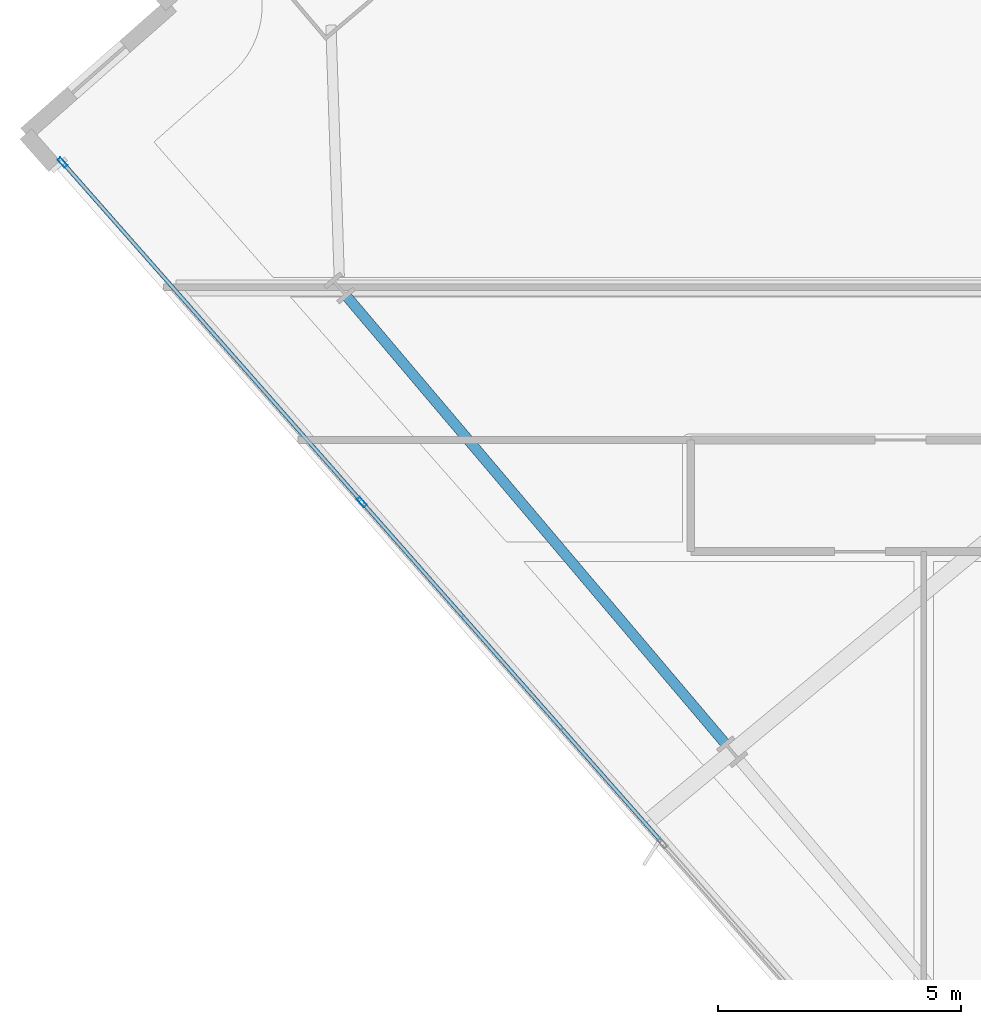
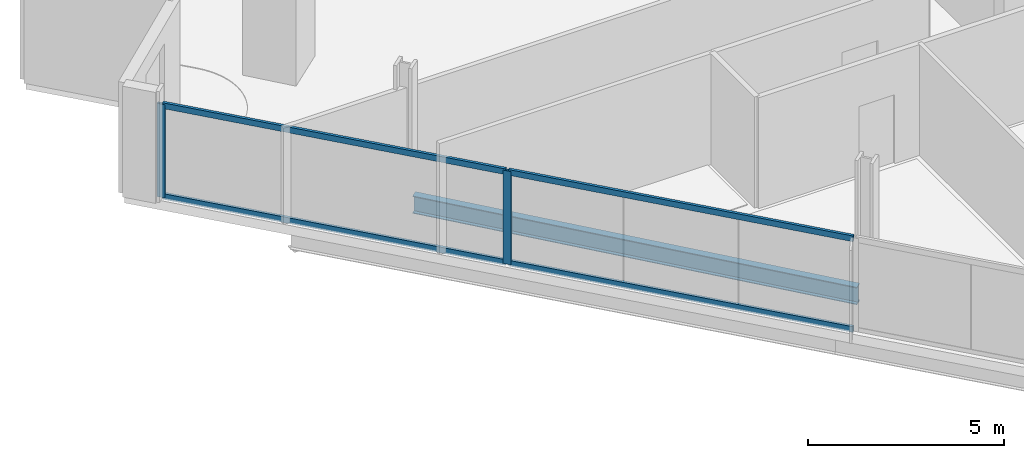
# One storey, part 5 of 34: 6 members, 1 beam, 1 element without a shape of its own.
"""IFC4 building model written with IfcOpenShell, lengths in metres."""

from ifc_helpers import new_model, si_unit, direction, frame, origin, origin_2d, place, context, subcontext, project, spatial, hollow_rectangle, i_section, extrude, material, material_profile, profile_set, type_object, element, aggregate, save


model = new_model("IFC4")

# Units and contexts
model_context = context("Model", 3, precision=1e-05, world=origin(), true_north=direction((0.0, 1.0)))
body_context = subcontext(model_context, "Body", "Model", "MODEL_VIEW")
ifc_project = project(units=[si_unit("LENGTHUNIT", "METRE"), si_unit("AREAUNIT", "SQUARE_METRE"), si_unit("VOLUMEUNIT", "CUBIC_METRE"), si_unit("PLANEANGLEUNIT", "RADIAN"), si_unit("MASSUNIT", "GRAM", prefix="KILO")], contexts=[model_context])

# Site, building, storey
site_placement = place(None, origin())
site = spatial("IfcSite", under=ifc_project, at=site_placement, CompositionType="ELEMENT")
building_placement = place(site_placement, origin())
building = spatial("IfcBuilding", under=site, at=building_placement, Name="Haldenkirk Collegiate Tower", CompositionType="ELEMENT")
storey_placement = place(building_placement, frame((0.0, 0.0, 166.949951171875)))
storey = spatial("IfcBuildingStorey", under=building, at=storey_placement, Name="L41", CompositionType="ELEMENT", Elevation=166.949951171875)

# Beam
ifc_material_1 = material(Name="Steel ASTM A992 Grade 50", Category="steel")
ifc_material_profile_1 = material_profile(ifc_material_1, i_section(OverallWidth=0.2119140625, OverallDepth=0.5439453125, WebThickness=0.01318359375, FlangeThickness=0.021240234375, at=origin_2d()), Name="W21X83")
ifc_profile_set_1 = profile_set([ifc_material_profile_1], Name="Steel ASTM A992 Grade 50")
beam_type = type_object("IfcBeamType", Name="BM-SPANDREL-W21X83", PredefinedType="SPANDREL", material=ifc_profile_set_1)
beam_placement = place(storey_placement, frame((11.111328125, 20.80859375, -0.56201171875), z_axis=(0.646126367676, -0.763230448157, 0.0), x_axis=(0.763230448157, 0.646126367676, 0.0)))
element("IfcBeam", 1, at=beam_placement, inside=storey, type_object=beam_type, Name="L41 perimeter spandrel beam 14", PredefinedType="SPANDREL", context=body_context, shape_type="SweptSolid", body=[
    extrude(i_section(OverallWidth=0.2119140625, OverallDepth=0.5439453125, WebThickness=0.01318359375, FlangeThickness=0.021240234375, at=origin_2d()), origin(), (0.0, 0.0, 1.0), 12.06494140625),
])

# Curtain wall, members
ifc_material_2 = material(Name="Anodised architectural bronze aluminium", Category="aluminium")
curtain_wall_type = type_object("IfcCurtainWallType", Name="CW-SYS1-CONVEX-LOW", PredefinedType="USERDEFINED", material=ifc_material_2)
curtain_wall_placement = place(storey_placement, origin())
curtain_wall = element("IfcCurtainWall", 2, at=curtain_wall_placement, inside=storey, type_object=curtain_wall_type, Name="L41 Lower tower convex bronze-framed unitised curtain wall", ObjectType="UNITISED CURTAIN WALL", PredefinedType="USERDEFINED")
ifc_material_profile_2 = material_profile(ifc_material_2, hollow_rectangle(XDim=0.080078125, YDim=0.219970703125, WallThickness=0.0048828125, at=origin_2d()), Name="CW-MUL-1A")
ifc_profile_set_2 = profile_set([ifc_material_profile_2], Name="Anodised architectural bronze aluminium")
member_type_1 = type_object("IfcMemberType", Name="CW-MUL-1A", PredefinedType="MULLION", material=ifc_profile_set_2)
member_1_placement = place(storey_placement, frame((11.423095703125, 16.572265625, 0.0), z_axis=(0.0, 0.0, 1.0), x_axis=(-0.750112915401, -0.661309771702, 0.0)))
member_1 = element("IfcMember", 3, at=member_1_placement, type_object=member_type_1, Name="CW-1A mullion 4", PredefinedType="MULLION", context=body_context, shape_type="SweptSolid", body=[
    extrude(hollow_rectangle(XDim=0.080078125, YDim=0.219970703125, WallThickness=0.0048828125, at=origin_2d()), origin(), (0.0, 0.0, 1.0), 2.9111328125),
])
member_2_placement = place(storey_placement, frame((5.25390625, 23.570068359375, 0.0), z_axis=(0.0, 0.0, 1.0), x_axis=(-0.750112915401, -0.661309771702, 0.0)))
member_2 = element("IfcMember", 4, at=member_2_placement, type_object=member_type_1, Name="CW-1A mullion 5", PredefinedType="MULLION", context=body_context, shape_type="SweptSolid", body=[
    extrude(hollow_rectangle(XDim=0.080078125, YDim=0.219970703125, WallThickness=0.0048828125, at=origin_2d()), origin(), (0.0, 0.0, 1.0), 2.9111328125),
])
ifc_material_profile_3 = material_profile(ifc_material_2, hollow_rectangle(XDim=0.080078125, YDim=0.179931640625, WallThickness=0.0048828125, at=origin_2d()), Name="CW-TRN-1A")
ifc_profile_set_3 = profile_set([ifc_material_profile_3], Name="Anodised architectural bronze aluminium")
member_type_2 = type_object("IfcMemberType", Name="CW-TRN-1A", PredefinedType="USERDEFINED", material=ifc_profile_set_3)
member_3_placement = place(storey_placement, frame((17.59228515625, 9.57470703125, 0.0400390625), z_axis=(-0.661306029355, 0.750116214689, 0.0), x_axis=(-0.750116214689, -0.661306029355, 0.0)))
member_3 = element("IfcMember", 5, at=member_3_placement, type_object=member_type_2, Name="CW-1A transom 3.1", ObjectType="TRANSOM", PredefinedType="USERDEFINED", context=body_context, shape_type="SweptSolid", body=[
    extrude(hollow_rectangle(XDim=0.080078125, YDim=0.179931640625, WallThickness=0.0048828125, at=origin_2d()), origin(), (0.0, 0.0, 1.0), 9.288818359375),
])
member_4_placement = place(storey_placement, frame((17.59228515625, 9.57470703125, 2.87109375), z_axis=(-0.661306029355, 0.750116214689, 0.0), x_axis=(-0.750116214689, -0.661306029355, 0.0)))
member_4 = element("IfcMember", 6, at=member_4_placement, type_object=member_type_2, Name="CW-1A transom 3.2", ObjectType="TRANSOM", PredefinedType="USERDEFINED", context=body_context, shape_type="SweptSolid", body=[
    extrude(hollow_rectangle(XDim=0.080078125, YDim=0.179931640625, WallThickness=0.0048828125, at=origin_2d()), origin(), (0.0, 0.0, 1.0), 9.288818359375),
])
member_5_placement = place(storey_placement, frame((11.396484375, 16.602294921875, 0.0400390625), z_axis=(-0.661297672858, 0.750123581734, 0.0), x_axis=(-0.750123581734, -0.661297672858, 0.0)))
member_5 = element("IfcMember", 7, at=member_5_placement, type_object=member_type_2, Name="CW-1A transom 4.1", ObjectType="TRANSOM", PredefinedType="USERDEFINED", context=body_context, shape_type="SweptSolid", body=[
    extrude(hollow_rectangle(XDim=0.080078125, YDim=0.179931640625, WallThickness=0.0048828125, at=origin_2d()), origin(), (0.0, 0.0, 1.0), 9.248779296875),
])
member_6_placement = place(storey_placement, frame((11.396484375, 16.602294921875, 2.87109375), z_axis=(-0.661297672858, 0.750123581734, 0.0), x_axis=(-0.750123581734, -0.661297672858, 0.0)))
member_6 = element("IfcMember", 8, at=member_6_placement, type_object=member_type_2, Name="CW-1A transom 4.2", ObjectType="TRANSOM", PredefinedType="USERDEFINED", context=body_context, shape_type="SweptSolid", body=[
    extrude(hollow_rectangle(XDim=0.080078125, YDim=0.179931640625, WallThickness=0.0048828125, at=origin_2d()), origin(), (0.0, 0.0, 1.0), 9.248779296875),
])
aggregate(curtain_wall, [member_1, member_2, member_3, member_4, member_5, member_6])

save(model, "model.ifc")
